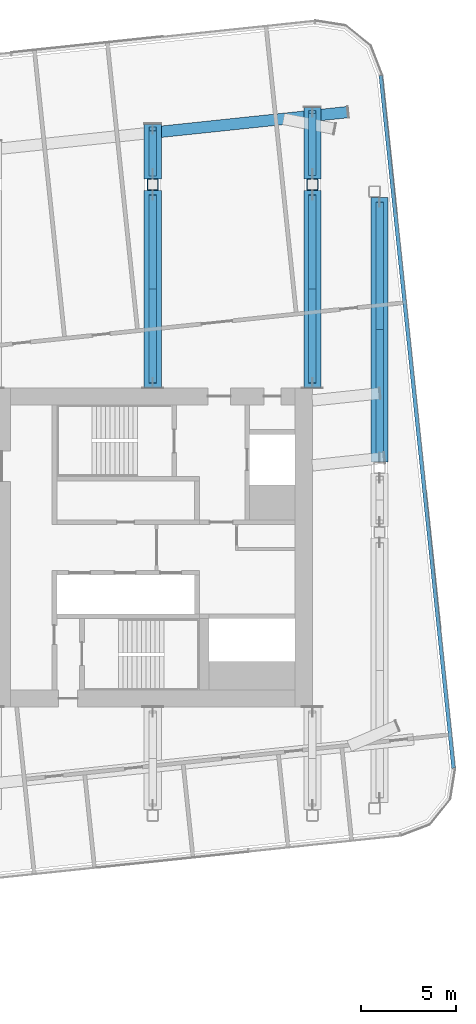
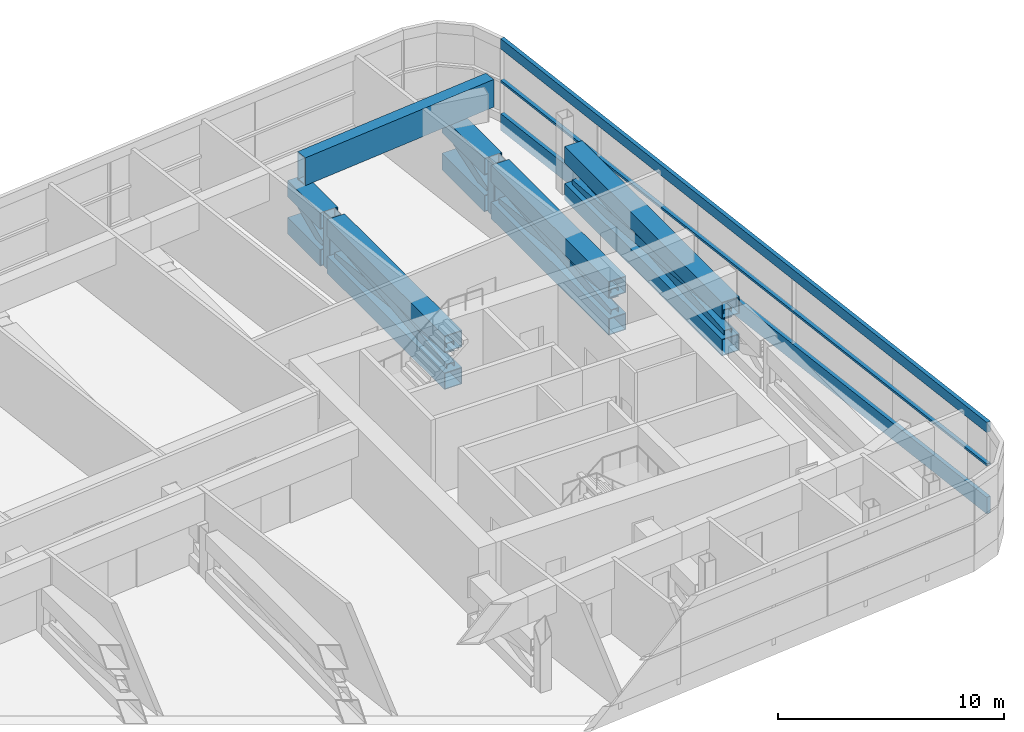
# One storey, part 13 of 33: 23 members, 1 beam, 1 element without a shape of its own.
"""IFC4 building model written with IfcOpenShell, lengths in metres."""

from ifc_helpers import new_model, si_unit, direction, frame, origin, origin_2d, place, context, subcontext, project, spatial, rectangle, hollow_rectangle, extrude, material, layer, layer_set, material_profile, profile_set, type_object, element, aggregate, save


model = new_model("IFC4")

# Units and contexts
model_context = context("Model", 3, precision=1e-05, world=origin(), true_north=direction((0.0, 1.0)))
body_context = subcontext(model_context, "Body", "Model", "MODEL_VIEW")
ifc_project = project(units=[si_unit("LENGTHUNIT", "METRE"), si_unit("AREAUNIT", "SQUARE_METRE"), si_unit("VOLUMEUNIT", "CUBIC_METRE"), si_unit("PLANEANGLEUNIT", "RADIAN"), si_unit("MASSUNIT", "GRAM", prefix="KILO")], contexts=[model_context])

# Site, building, storey
site_placement = place(None, origin())
site = spatial("IfcSite", under=ifc_project, at=site_placement, CompositionType="ELEMENT")
building_placement = place(site_placement, origin())
building = spatial("IfcBuilding", under=site, at=building_placement, Name="Hakoniwa Tower and Hamabe Station Hall", CompositionType="ELEMENT")
storey_placement = place(building_placement, frame((0.0, 0.0, 228.199951171875)))
storey = spatial("IfcBuildingStorey", under=building, at=storey_placement, Name="L65", CompositionType="ELEMENT", Elevation=228.199951171875)

# Curtain wall, members
ifc_material_1 = material(Name="Dark low-e laminated glass", Category="glass")
ifc_layer = layer(ifc_material_1, 0.199951171875)
ifc_layer_set = layer_set([ifc_layer], Name="CW-6 PLANT LOUVRE")
curtain_wall_type = type_object("IfcCurtainWallType", Name="CW-6 PLANT LOUVRE", PredefinedType="NOTDEFINED", material=ifc_layer_set)
curtain_wall_placement = place(storey_placement, origin())
curtain_wall = element("IfcCurtainWall", 1, at=curtain_wall_placement, inside=storey, type_object=curtain_wall_type, Name="CW-6 curtain wall", PredefinedType="NOTDEFINED")
ifc_material_2 = material(Name="Aluminium 6063-T5 black anodised", Category="aluminium")
ifc_material_profile_1 = material_profile(ifc_material_2, rectangle(XDim=0.199951171875, YDim=0.550048828125, at=origin_2d()), Name="CW HEAD BAND 550X200")
ifc_profile_set_1 = profile_set([ifc_material_profile_1], Name="Aluminium 6063-T5 black anodised")
member_type_1 = type_object("IfcMemberType", Name="CW HEAD BAND 550X200", PredefinedType="USERDEFINED", material=ifc_profile_set_1)
member_1_placement = place(storey_placement, frame((41.03515625, -11.617919921875, 4.125), z_axis=(-0.104522890267, 0.994522481099, 0.0), x_axis=(-0.994522481099, -0.104522890267, 0.0)))
member_1 = element("IfcMember", 2, at=member_1_placement, type_object=member_type_1, Name="CW-6 transom", ObjectType="TRANSOM", PredefinedType="USERDEFINED", context=body_context, shape_type="SweptSolid", body=[
    extrude(rectangle(XDim=0.199951171875, YDim=0.550048828125, at=origin_2d()), origin(), (0.0, 0.0, 1.0), 36.65966796875),
])
ifc_material_3 = material(Name="Aluminium 6063-T5 black anodised", Category="aluminium")
ifc_material_profile_2 = material_profile(ifc_material_3, rectangle(XDim=0.199951171875, YDim=0.1201171875, at=origin_2d()), Name="CW MID TRANSOM 120X200")
ifc_profile_set_2 = profile_set([ifc_material_profile_2], Name="Aluminium 6063-T5 black anodised")
member_type_2 = type_object("IfcMemberType", Name="CW MID TRANSOM 120X200", PredefinedType="USERDEFINED", material=ifc_profile_set_2)
member_2_placement = place(storey_placement, frame((41.03515625, -11.617919921875, 2.10009765625), z_axis=(-0.104522890267, 0.994522481099, 0.0), x_axis=(-0.994522481099, -0.104522890267, 0.0)))
member_2 = element("IfcMember", 3, at=member_2_placement, type_object=member_type_2, Name="CW-6 transom", ObjectType="TRANSOM", PredefinedType="USERDEFINED", context=body_context, shape_type="SweptSolid", body=[
    extrude(rectangle(XDim=0.199951171875, YDim=0.1201171875, at=origin_2d()), origin(), (0.0, 0.0, 1.0), 36.65966796875),
])
ifc_material_4 = material(Name="Aluminium 6063-T5 black anodised", Category="aluminium")
ifc_material_profile_3 = material_profile(ifc_material_4, rectangle(XDim=0.199951171875, YDim=0.89990234375, at=origin_2d()), Name="CW SLAB-EDGE BAND 900X200")
ifc_profile_set_3 = profile_set([ifc_material_profile_3], Name="Aluminium 6063-T5 black anodised")
member_type_3 = type_object("IfcMemberType", Name="CW SLAB-EDGE BAND 900X200", PredefinedType="USERDEFINED", material=ifc_profile_set_3)
member_3_placement = place(storey_placement, frame((41.03515625, -11.617919921875, -0.099853515625), z_axis=(-0.104522890267, 0.994522481099, 0.0), x_axis=(-0.994522481099, -0.104522890267, 0.0)))
member_3 = element("IfcMember", 4, at=member_3_placement, type_object=member_type_3, Name="CW-6 transom", ObjectType="TRANSOM", PredefinedType="USERDEFINED", context=body_context, shape_type="SweptSolid", body=[
    extrude(rectangle(XDim=0.199951171875, YDim=0.89990234375, at=origin_2d()), origin(), (0.0, 0.0, 1.0), 36.65966796875),
])
aggregate(curtain_wall, [member_3, member_2, member_1])

# Beam
ifc_material_5 = material(Name="Steel SN490C", Category="steel")
ifc_material_profile_4 = material_profile(ifc_material_5, hollow_rectangle(XDim=0.60009765625, YDim=1.5, WallThickness=0.054931640625, at=origin_2d()), Name="BX-1500x600x55")
ifc_profile_set_4 = profile_set([ifc_material_profile_4], Name="Steel SN490C")
beam_type = type_object("IfcBeamType", Name="TRANSFER GIRDER BX-1500x600x55", PredefinedType="BEAM", material=ifc_profile_set_4)
beam_placement = place(storey_placement, frame((25.199951171875, 21.839599609375, 3.35009765625), z_axis=(0.994521908867, 0.104528334836, 0.0), x_axis=(-0.104528334836, 0.994521908867, 0.0)))
element("IfcBeam", 5, at=beam_placement, inside=storey, type_object=beam_type, Name="Truss T4-S-F5-G9", PredefinedType="BEAM", context=body_context, shape_type="SweptSolid", body=[
    extrude(hollow_rectangle(XDim=0.60009765625, YDim=1.5, WallThickness=0.054931640625, at=origin_2d()), origin(), (0.0, 0.0, 1.0), 10.31640625),
])

# Members
ifc_material_6 = material(Name="Steel SN490C", Category="steel")
ifc_material_profile_5 = material_profile(ifc_material_6, hollow_rectangle(XDim=0.89990234375, YDim=0.89990234375, WallThickness=0.035888671875, at=origin_2d()), Name="BX-900x900x36")
ifc_profile_set_5 = profile_set([ifc_material_profile_5], Name="Steel SN490C")
member_type_4 = type_object("IfcMemberType", Name="TRUSS CHORD BX-900x900x36", PredefinedType="CHORD", material=ifc_profile_set_5)
for number, where, z_axis, x_axis, name in (
    (6, (25.199951171875, 8.39990234375, 0.150146484375), (0.0, 1.0, 0.0), (-1.0, 0.0, 0.0), "Truss T4-15-BC01"),
    (7, (25.199951171875, 8.39990234375, 2.150146484375), (0.0, 1.0, 0.0), (-1.0, 0.0, 0.0), "Truss T4-15-TC01"),
):
    element("IfcMember", number, at=place(storey_placement, frame(where, z_axis=z_axis, x_axis=x_axis)), inside=storey, type_object=member_type_4, Name=name, PredefinedType="CHORD", context=body_context, shape_type="SweptSolid", body=[
        extrude(hollow_rectangle(XDim=0.89990234375, YDim=0.89990234375, WallThickness=0.035888671875, at=origin_2d()), origin(), (0.0, 0.0, 1.0), 10.400146484375),
    ])
for number, where, z_axis, x_axis, name in (
    (8, (25.199951171875, 19.39990234375, 0.150146484375), (0.0, 1.0, 0.0), (-1.0, 0.0, 0.0), "Truss T4-15-BCH"),
    (9, (25.199951171875, 19.39990234375, 2.150146484375), (0.0, 1.0, 0.0), (-1.0, 0.0, 0.0), "Truss T4-15-TCH"),
):
    element("IfcMember", number, at=place(storey_placement, frame(where, z_axis=z_axis, x_axis=x_axis)), inside=storey, type_object=member_type_4, Name=name, PredefinedType="CHORD", context=body_context, shape_type="SweptSolid", body=[
        extrude(hollow_rectangle(XDim=0.89990234375, YDim=0.89990234375, WallThickness=0.035888671875, at=origin_2d()), origin(), (0.0, 0.0, 1.0), 2.89013671875),
    ])
for number, where, z_axis, x_axis, name in (
    (10, (33.60009765625, 8.39990234375, 0.150146484375), (0.0, 1.0, 0.0), (-1.0, 0.0, 0.0), "Truss T4-17-BC01"),
    (11, (33.60009765625, 8.39990234375, 2.150146484375), (0.0, 1.0, 0.0), (-1.0, 0.0, 0.0), "Truss T4-17-TC01"),
):
    element("IfcMember", number, at=place(storey_placement, frame(where, z_axis=z_axis, x_axis=x_axis)), inside=storey, type_object=member_type_4, Name=name, PredefinedType="CHORD", context=body_context, shape_type="SweptSolid", body=[
        extrude(hollow_rectangle(XDim=0.89990234375, YDim=0.89990234375, WallThickness=0.035888671875, at=origin_2d()), origin(), (0.0, 0.0, 1.0), 10.400146484375),
    ])
for number, where, z_axis, x_axis, name in (
    (12, (33.60009765625, 19.39990234375, 0.150146484375), (0.0, 1.0, 0.0), (-1.0, 0.0, 0.0), "Truss T4-17-BCH"),
    (13, (33.60009765625, 19.39990234375, 2.150146484375), (0.0, 1.0, 0.0), (-1.0, 0.0, 0.0), "Truss T4-17-TCH"),
):
    element("IfcMember", number, at=place(storey_placement, frame(where, z_axis=z_axis, x_axis=x_axis)), inside=storey, type_object=member_type_4, Name=name, PredefinedType="CHORD", context=body_context, shape_type="SweptSolid", body=[
        extrude(hollow_rectangle(XDim=0.89990234375, YDim=0.89990234375, WallThickness=0.035888671875, at=origin_2d()), origin(), (0.0, 0.0, 1.0), 3.773193359375),
    ])
for number, where, z_axis, x_axis, name in (
    (14, (37.138916015625, 4.5, 0.150146484375), (0.0, 1.0, 0.0), (-1.0, 0.0, 0.0), "Truss T4-18-BC03"),
    (15, (37.138916015625, 4.5, 2.150146484375), (0.0, 1.0, 0.0), (-1.0, 0.0, 0.0), "Truss T4-18-TC03"),
):
    element("IfcMember", number, at=place(storey_placement, frame(where, z_axis=z_axis, x_axis=x_axis)), inside=storey, type_object=member_type_4, Name=name, PredefinedType="CHORD", context=body_context, shape_type="SweptSolid", body=[
        extrude(hollow_rectangle(XDim=0.89990234375, YDim=0.89990234375, WallThickness=0.035888671875, at=origin_2d()), origin(), (0.0, 0.0, 1.0), 13.927978515625),
    ])
ifc_material_7 = material(Name="Steel SN490C", Category="steel")
ifc_material_profile_6 = material_profile(ifc_material_7, hollow_rectangle(XDim=0.39990234375, YDim=0.5, WallThickness=0.02197265625, at=origin_2d()), Name="BX-500x400x22")
ifc_profile_set_6 = profile_set([ifc_material_profile_6], Name="Steel SN490C")
member_type_5 = type_object("IfcMemberType", Name="TRUSS DIAGONAL BX-500x400x22", PredefinedType="BRACE", material=ifc_profile_set_6)
for number, where, z_axis, x_axis, name in (
    (16, (25.199951171875, 8.64990234375, 0.60009765625), (0.0, 0.993885527922, 0.110415385645), (-1.0, 0.0, 0.0), "Truss T4-15-D01a"),
    (17, (25.199951171875, 8.64990234375, 1.699951171875), (0.0, 0.993885527922, -0.110415385645), (-1.0, 0.0, 0.0), "Truss T4-15-D01b"),
):
    element("IfcMember", number, at=place(storey_placement, frame(where, z_axis=z_axis, x_axis=x_axis)), inside=storey, type_object=member_type_5, Name=name, PredefinedType="BRACE", context=body_context, shape_type="SweptSolid", body=[
        extrude(hollow_rectangle(XDim=0.39990234375, YDim=0.5, WallThickness=0.02197265625, at=origin_2d()), origin(), (0.0, 0.0, 1.0), 9.9609375),
    ])
member_4_placement = place(storey_placement, frame((25.199951171875, 19.64990234375, 0.60009765625), z_axis=(0.0, 0.908434076849, 0.418028142616), x_axis=(-1.0, 0.0, 0.0)))
element("IfcMember", 18, at=member_4_placement, inside=storey, type_object=member_type_5, Name="Truss T4-15-DHa", PredefinedType="BRACE", context=body_context, shape_type="SweptSolid", body=[
    extrude(hollow_rectangle(XDim=0.39990234375, YDim=0.5, WallThickness=0.02197265625, at=origin_2d()), origin(), (0.0, 0.0, 1.0), 2.631103515625),
])
for number, where, z_axis, x_axis, name in (
    (19, (33.60009765625, 8.64990234375, 0.60009765625), (0.0, 0.993885527922, 0.110415385645), (-1.0, 0.0, 0.0), "Truss T4-17-D01a"),
    (20, (33.60009765625, 8.64990234375, 1.699951171875), (0.0, 0.993885527922, -0.110415385645), (-1.0, 0.0, 0.0), "Truss T4-17-D01b"),
):
    element("IfcMember", number, at=place(storey_placement, frame(where, z_axis=z_axis, x_axis=x_axis)), inside=storey, type_object=member_type_5, Name=name, PredefinedType="BRACE", context=body_context, shape_type="SweptSolid", body=[
        extrude(hollow_rectangle(XDim=0.39990234375, YDim=0.5, WallThickness=0.02197265625, at=origin_2d()), origin(), (0.0, 0.0, 1.0), 9.9609375),
    ])
member_5_placement = place(storey_placement, frame((33.60009765625, 19.64990234375, 0.60009765625), z_axis=(0.0, 0.947916938412, 0.318517625684), x_axis=(-1.0, 0.0, 0.0)))
element("IfcMember", 21, at=member_5_placement, inside=storey, type_object=member_type_5, Name="Truss T4-17-DHa", PredefinedType="BRACE", context=body_context, shape_type="SweptSolid", body=[
    extrude(hollow_rectangle(XDim=0.39990234375, YDim=0.5, WallThickness=0.02197265625, at=origin_2d()), origin(), (0.0, 0.0, 1.0), 3.453125),
])
for number, where, z_axis, x_axis, name in (
    (22, (37.138916015625, 4.75, 0.60009765625), (0.0, 0.996662356859, 0.081634223335), (-1.0, 0.0, 0.0), "Truss T4-18-D03a"),
    (23, (37.138916015625, 4.75, 1.699951171875), (0.0, 0.996662356859, -0.081634223335), (-1.0, 0.0, 0.0), "Truss T4-18-D03b"),
):
    element("IfcMember", number, at=place(storey_placement, frame(where, z_axis=z_axis, x_axis=x_axis)), inside=storey, type_object=member_type_5, Name=name, PredefinedType="BRACE", context=body_context, shape_type="SweptSolid", body=[
        extrude(hollow_rectangle(XDim=0.39990234375, YDim=0.5, WallThickness=0.02197265625, at=origin_2d()), origin(), (0.0, 0.0, 1.0), 13.472900390625),
    ])
ifc_material_8 = material(Name="Steel BCP325", Category="steel")
ifc_material_profile_7 = material_profile(ifc_material_8, hollow_rectangle(XDim=0.60009765625, YDim=0.60009765625, WallThickness=0.02490234375, InnerFilletRadius=0.03759765625, OuterFilletRadius=0.0625, at=origin_2d()), Name="BCP-600x600x25")
ifc_profile_set_7 = profile_set([ifc_material_profile_7], Name="Steel BCP325")
member_type_6 = type_object("IfcMemberType", Name="TRUSS POST BCP-600x600x25", PredefinedType="POST", material=ifc_profile_set_7)
for number, where, z_axis, x_axis, name in (
    (24, (25.199951171875, 19.10009765625, -0.300048828125), (0.0, 0.0, 1.0), (1.0, 0.0, 0.0), "Truss T4-15-P02"),
    (25, (33.60009765625, 19.10009765625, -0.300048828125), (0.0, 0.0, 1.0), (1.0, 0.0, 0.0), "Truss T4-17-P02"),
):
    element("IfcMember", number, at=place(storey_placement, frame(where, z_axis=z_axis, x_axis=x_axis)), inside=storey, type_object=member_type_6, Name=name, PredefinedType="POST", context=body_context, shape_type="SweptSolid", body=[
        extrude(hollow_rectangle(XDim=0.60009765625, YDim=0.60009765625, WallThickness=0.02490234375, InnerFilletRadius=0.03759765625, OuterFilletRadius=0.0625, at=origin_2d()), origin(), (0.0, 0.0, 1.0), 2.900146484375),
    ])

save(model, "model.ifc")
